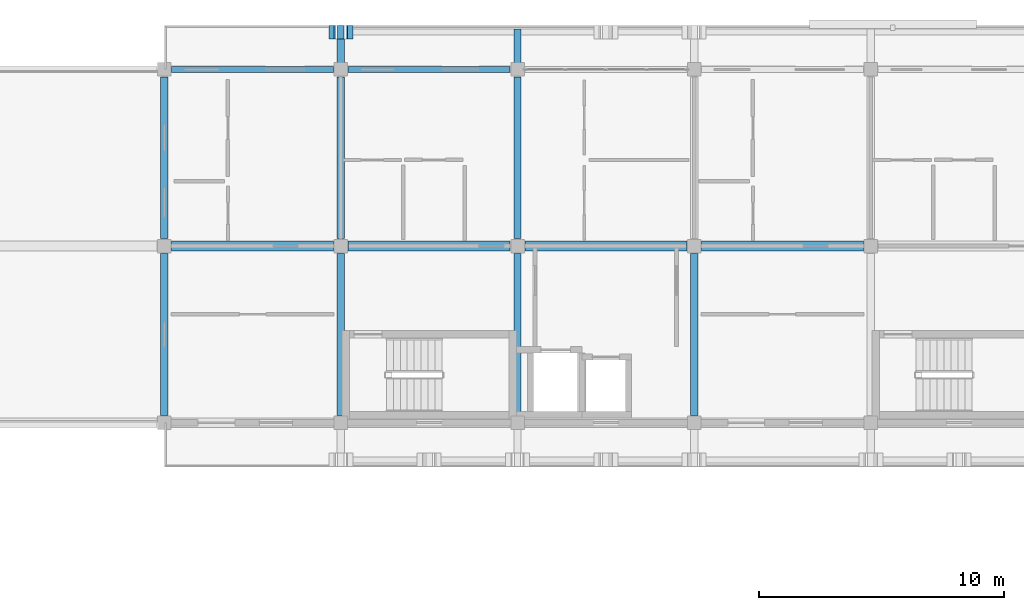
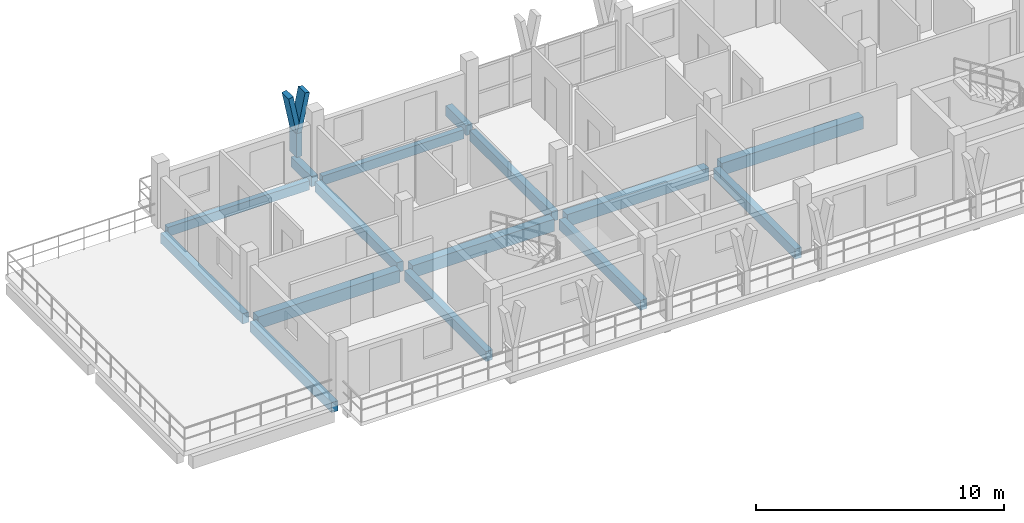
# One storey, part 24 of 73: 15 beams, 3 members.
"""IFC4 building model written with IfcOpenShell, lengths in metres."""

from ifc_helpers import new_model, si_unit, direction, frame, origin, origin_2d, place, context, subcontext, project, spatial, rectangle, extrude, material, material_profile, profile_set, type_object, element, save


model = new_model("IFC4")

# Units and contexts
model_context = context("Model", 3, precision=1e-05, world=origin(), true_north=direction((0.0, 1.0)))
body_context = subcontext(model_context, "Body", "Model", "MODEL_VIEW")
ifc_project = project(units=[si_unit("LENGTHUNIT", "METRE"), si_unit("AREAUNIT", "SQUARE_METRE"), si_unit("VOLUMEUNIT", "CUBIC_METRE"), si_unit("PLANEANGLEUNIT", "RADIAN"), si_unit("MASSUNIT", "GRAM", prefix="KILO")], contexts=[model_context])

# Site, building, storey
site_placement = place(None, origin())
site = spatial("IfcSite", under=ifc_project, at=site_placement, CompositionType="ELEMENT")
building_placement = place(site_placement, origin())
building = spatial("IfcBuilding", under=site, at=building_placement, Name="Suanplinth Sawtooth Commons", CompositionType="ELEMENT")
storey_placement = place(building_placement, frame((0.0, 0.0, 21.89990234375)))
storey = spatial("IfcBuildingStorey", under=building, at=storey_placement, Name="L06", CompositionType="ELEMENT", Elevation=21.89990234375)

# Beams
ifc_material_1 = material(Name="Precast concrete C40/50", Category="concrete")
ifc_material_profile_1 = material_profile(ifc_material_1, rectangle(XDim=0.39990234375, YDim=0.60009765625, at=origin_2d()), Name="PC-GDR 400x600")
ifc_profile_set_1 = profile_set([ifc_material_profile_1], Name="Precast concrete C40/50")
beam_type_1 = type_object("IfcBeamType", Name="B-05", PredefinedType="USERDEFINED", material=ifc_profile_set_1)
beam_1_placement = place(storey_placement, frame((129.89990234375, 115.199951171875, -0.539794921875), z_axis=(1.0, 0.0, 0.0), x_axis=(0.0, 1.0, 0.0)))
element("IfcBeam", 1, at=beam_1_placement, inside=storey, type_object=beam_type_1, Name="BMX-L06-B-18-16", ObjectType="GIRDER", PredefinedType="USERDEFINED", context=body_context, shape_type="SweptSolid", body=[
    extrude(rectangle(XDim=0.39990234375, YDim=0.60009765625, at=origin_2d()), origin(), (0.0, 0.0, 1.0), 6.60009765625),
])
for number, where, z_axis, x_axis, name in (
    (2, (137.10009765625, 115.199951171875, -0.539794921875), (1.0, 0.0, 0.0), (0.0, 1.0, 0.0), "BMX-L06-B-19-16"),
    (3, (144.300048828125, 115.199951171875, -0.539794921875), (1.0, 0.0, 0.0), (0.0, 1.0, 0.0), "BMX-L06-B-20-16"),
):
    element("IfcBeam", number, at=place(storey_placement, frame(where, z_axis=z_axis, x_axis=x_axis)), inside=storey, type_object=beam_type_1, Name=name, ObjectType="GIRDER", PredefinedType="USERDEFINED", context=body_context, shape_type="SweptSolid", body=[
        extrude(rectangle(XDim=0.39990234375, YDim=0.60009765625, at=origin_2d()), origin(), (0.0, 0.0, 1.0), 6.599853515625),
    ])
beam_2_placement = place(storey_placement, frame((151.5, 115.199951171875, -0.539794921875), z_axis=(1.0, 0.0, 0.0), x_axis=(0.0, 1.0, 0.0)))
element("IfcBeam", 4, at=beam_2_placement, inside=storey, type_object=beam_type_1, Name="BMX-L06-B-21-16", ObjectType="GIRDER", PredefinedType="USERDEFINED", context=body_context, shape_type="SweptSolid", body=[
    extrude(rectangle(XDim=0.39990234375, YDim=0.60009765625, at=origin_2d()), origin(), (0.0, 0.0, 1.0), 6.60009765625),
])
ifc_material_profile_2 = material_profile(ifc_material_1, rectangle(XDim=0.300048828125, YDim=0.5, at=origin_2d()), Name="PC-BM 300x500")
ifc_profile_set_2 = profile_set([ifc_material_profile_2], Name="Precast concrete C40/50")
beam_type_2 = type_object("IfcBeamType", Name="B-07", PredefinedType="BEAM", material=ifc_profile_set_2)
beam_3_placement = place(storey_placement, frame((129.60009765625, 108.300048828125, -0.489990234375), z_axis=(0.0, 1.0, 0.0), x_axis=(-1.0, 0.0, 0.0)))
element("IfcBeam", 5, at=beam_3_placement, inside=storey, type_object=beam_type_2, Name="BMY-L06-B-18-15", PredefinedType="BEAM", context=body_context, shape_type="SweptSolid", body=[
    extrude(rectangle(XDim=0.300048828125, YDim=0.5, at=origin_2d()), origin(), (0.0, 0.0, 1.0), 6.599853515625),
])
beam_4_placement = place(storey_placement, frame((129.60009765625, 115.5, -0.489990234375), z_axis=(0.0, 1.0, 0.0), x_axis=(-1.0, 0.0, 0.0)))
element("IfcBeam", 6, at=beam_4_placement, inside=storey, type_object=beam_type_2, Name="BMY-L06-B-18-16", PredefinedType="BEAM", context=body_context, shape_type="SweptSolid", body=[
    extrude(rectangle(XDim=0.300048828125, YDim=0.5, at=origin_2d()), origin(), (0.0, 0.0, 1.0), 6.60009765625),
])
beam_5_placement = place(storey_placement, frame((136.800048828125, 108.300048828125, -0.489990234375), z_axis=(0.0, 1.0, 0.0), x_axis=(-1.0, 0.0, 0.0)))
element("IfcBeam", 7, at=beam_5_placement, inside=storey, type_object=beam_type_2, Name="BMY-L06-B-19-15", PredefinedType="BEAM", context=body_context, shape_type="SweptSolid", body=[
    extrude(rectangle(XDim=0.300048828125, YDim=0.5, at=origin_2d()), origin(), (0.0, 0.0, 1.0), 6.599853515625),
])
beam_6_placement = place(storey_placement, frame((136.800048828125, 115.5, -0.489990234375), z_axis=(0.0, 1.0, 0.0), x_axis=(-1.0, 0.0, 0.0)))
element("IfcBeam", 8, at=beam_6_placement, inside=storey, type_object=beam_type_2, Name="BMY-L06-B-19-16", PredefinedType="BEAM", context=body_context, shape_type="SweptSolid", body=[
    extrude(rectangle(XDim=0.300048828125, YDim=0.5, at=origin_2d()), origin(), (0.0, 0.0, 1.0), 6.60009765625),
])
beam_7_placement = place(storey_placement, frame((144.0, 108.300048828125, -0.489990234375), z_axis=(0.0, 1.0, 0.0), x_axis=(-1.0, 0.0, 0.0)))
element("IfcBeam", 9, at=beam_7_placement, inside=storey, type_object=beam_type_2, Name="BMY-L06-B-20-15", PredefinedType="BEAM", context=body_context, shape_type="SweptSolid", body=[
    extrude(rectangle(XDim=0.300048828125, YDim=0.5, at=origin_2d()), origin(), (0.0, 0.0, 1.0), 6.599853515625),
])
beam_8_placement = place(storey_placement, frame((144.0, 115.5, -0.489990234375), z_axis=(0.0, 1.0, 0.0), x_axis=(-1.0, 0.0, 0.0)))
element("IfcBeam", 10, at=beam_8_placement, inside=storey, type_object=beam_type_2, Name="BMY-L06-B-20-16", PredefinedType="BEAM", context=body_context, shape_type="SweptSolid", body=[
    extrude(rectangle(XDim=0.300048828125, YDim=0.5, at=origin_2d()), origin(), (0.0, 0.0, 1.0), 6.60009765625),
])
beam_9_placement = place(storey_placement, frame((151.199951171875, 108.300048828125, -0.489990234375), z_axis=(0.0, 1.0, 0.0), x_axis=(-1.0, 0.0, 0.0)))
element("IfcBeam", 11, at=beam_9_placement, inside=storey, type_object=beam_type_2, Name="BMY-L06-B-21-15", PredefinedType="BEAM", context=body_context, shape_type="SweptSolid", body=[
    extrude(rectangle(XDim=0.300048828125, YDim=0.5, at=origin_2d()), origin(), (0.0, 0.0, 1.0), 6.599853515625),
])
for number, where, z_axis, x_axis, name in (
    (12, (136.800048828125, 122.39990234375, -0.429931640625), (0.0, 1.0, 0.0), (-1.0, 0.0, 0.0), "Balcony Outrigger L06-B-N-19"),
    (13, (144.0, 122.39990234375, -0.429931640625), (0.0, 1.0, 0.0), (-1.0, 0.0, 0.0), "Balcony Outrigger L06-B-N-20"),
):
    element("IfcBeam", number, at=place(storey_placement, frame(where, z_axis=z_axis, x_axis=x_axis)), inside=storey, type_object=beam_type_2, Name=name, PredefinedType="BEAM", context=body_context, shape_type="SweptSolid", body=[
        extrude(rectangle(XDim=0.300048828125, YDim=0.5, at=origin_2d()), origin(), (0.0, 0.0, 1.0), 1.64013671875),
    ])
ifc_material_profile_3 = material_profile(ifc_material_1, rectangle(XDim=0.25, YDim=0.449951171875, at=origin_2d()), Name="PC-SP 250x450")
ifc_profile_set_3 = profile_set([ifc_material_profile_3], Name="Precast concrete C40/50")
beam_type_3 = type_object("IfcBeamType", Name="B-09", PredefinedType="SPANDREL", material=ifc_profile_set_3)
beam_10_placement = place(storey_placement, frame((129.89990234375, 122.39990234375, -0.46484375), z_axis=(1.0, 0.0, 0.0), x_axis=(0.0, 1.0, 0.0)))
element("IfcBeam", 14, at=beam_10_placement, inside=storey, type_object=beam_type_3, Name="BMX-L06-B-18-17", PredefinedType="SPANDREL", context=body_context, shape_type="SweptSolid", body=[
    extrude(rectangle(XDim=0.25, YDim=0.449951171875, at=origin_2d()), origin(), (0.0, 0.0, 1.0), 6.60009765625),
])
beam_11_placement = place(storey_placement, frame((137.10009765625, 122.39990234375, -0.46484375), z_axis=(1.0, 0.0, 0.0), x_axis=(0.0, 1.0, 0.0)))
element("IfcBeam", 15, at=beam_11_placement, inside=storey, type_object=beam_type_3, Name="BMX-L06-B-19-17", PredefinedType="SPANDREL", context=body_context, shape_type="SweptSolid", body=[
    extrude(rectangle(XDim=0.25, YDim=0.449951171875, at=origin_2d()), origin(), (0.0, 0.0, 1.0), 6.599853515625),
])

# Members
ifc_material_2 = material(Name="Pigmented precast concrete C40/50", Category="concrete")
ifc_material_profile_4 = material_profile(ifc_material_2, rectangle(XDim=0.260009765625, YDim=0.550048828125, at=origin_2d()), Name="PC-FIN 260x550")
ifc_profile_set_4 = profile_set([ifc_material_profile_4], Name="Pigmented precast concrete C40/50")
member_type_1 = type_object("IfcMemberType", Name="M-09", PredefinedType="USERDEFINED", material=ifc_profile_set_4)
member_1_placement = place(storey_placement, frame((136.800048828125, 123.919921875, 0.0), z_axis=(0.0, 0.0, 1.0), x_axis=(1.0, 0.0, 0.0)))
element("IfcMember", 16, at=member_1_placement, inside=storey, type_object=member_type_1, Name="Y-Blade Stem L06-B-N-01", ObjectType="SHADING FIN", PredefinedType="USERDEFINED", context=body_context, shape_type="SweptSolid", body=[
    extrude(rectangle(XDim=0.260009765625, YDim=0.550048828125, at=origin_2d()), origin(), (0.0, 0.0, 1.0), 1.170166015625),
])
ifc_material_profile_5 = material_profile(ifc_material_2, rectangle(XDim=0.219970703125, YDim=0.550048828125, at=origin_2d()), Name="PC-FIN 220x550")
ifc_profile_set_5 = profile_set([ifc_material_profile_5], Name="Pigmented precast concrete C40/50")
member_type_2 = type_object("IfcMemberType", Name="M-10", PredefinedType="USERDEFINED", material=ifc_profile_set_5)
member_2_placement = place(storey_placement, frame((136.800048828125, 123.919921875, 1.130126953125), z_axis=(-0.196431120402, 0.0, 0.980517626021), x_axis=(0.980517626021, 0.0, 0.196431120402)))
element("IfcMember", 17, at=member_2_placement, inside=storey, type_object=member_type_2, Name="Y-Blade Arm L L06-B-N-01", ObjectType="SHADING FIN", PredefinedType="USERDEFINED", context=body_context, shape_type="SweptSolid", body=[
    extrude(rectangle(XDim=0.219970703125, YDim=0.550048828125, at=origin_2d()), origin(), (0.0, 0.0, 1.0), 1.937744140625),
])
member_3_placement = place(storey_placement, frame((136.800048828125, 123.919921875, 1.130126953125), z_axis=(0.196309979414, 0.0, 0.980541886909), x_axis=(-0.980541886909, 0.0, 0.196309979414)))
element("IfcMember", 18, at=member_3_placement, inside=storey, type_object=member_type_2, Name="Y-Blade Arm R L06-B-N-01", ObjectType="SHADING FIN", PredefinedType="USERDEFINED", context=body_context, shape_type="SweptSolid", body=[
    extrude(rectangle(XDim=0.219970703125, YDim=0.550048828125, at=origin_2d()), origin(), (0.0, 0.0, 1.0), 1.9375),
])

save(model, "model.ifc")
